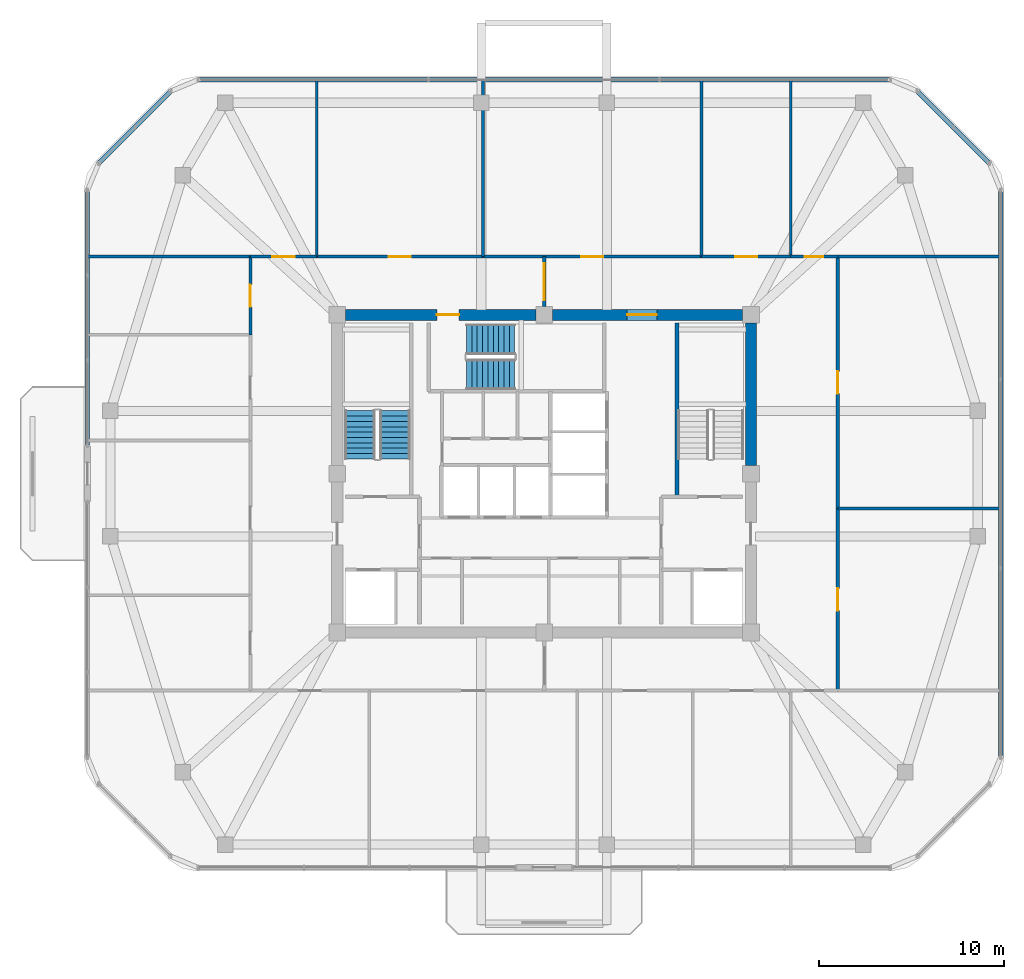
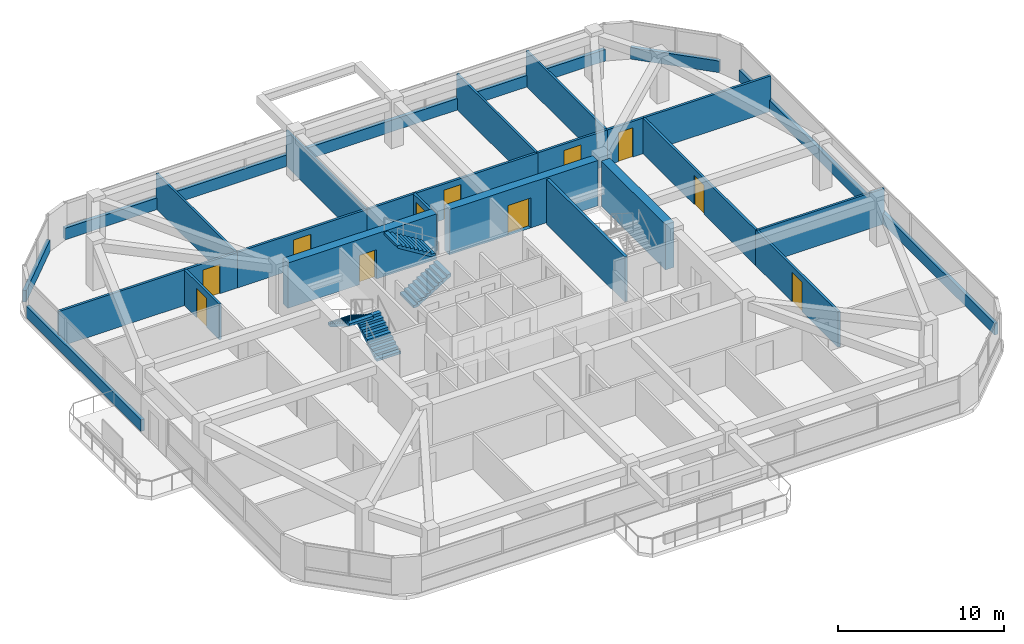
# One storey, part 10 of 13: 25 walls, 11 doors, 4 stair flights, 11 openings, 2 elements without a shape of their own.
"""IFC4 building model written with IfcOpenShell, lengths in metres."""

from ifc_helpers import new_model, si_unit, derived_unit, direction, frame, frame_2d, origin, place, context, subcontext, project, spatial, polyline, rectangle, outline, extrude, material, layer, layer_set, type_object, element, fill, aggregate, save


model = new_model("IFC4")

# Units and contexts
model_context = context("Model", 3, precision=1e-05, world=origin(), true_north=direction((0.0, 1.0)))
body_context = subcontext(model_context, "Body", "Model", "MODEL_VIEW")
ifc_project = project(units=[si_unit("LENGTHUNIT", "METRE"), si_unit("AREAUNIT", "SQUARE_METRE"), si_unit("VOLUMEUNIT", "CUBIC_METRE"), si_unit("PLANEANGLEUNIT", "RADIAN"), si_unit("MASSUNIT", "GRAM", prefix="KILO"), derived_unit("THERMALTRANSMITTANCEUNIT", [(si_unit("POWERUNIT", "WATT"), 1), (si_unit("LENGTHUNIT", "METRE"), -2), (si_unit("THERMODYNAMICTEMPERATUREUNIT", "KELVIN"), -1)])], contexts=[model_context])

# Site, building, storey
site_placement = place(None, origin())
site = spatial("IfcSite", under=ifc_project, at=site_placement, CompositionType="ELEMENT")
building_placement = place(site_placement, origin())
building = spatial("IfcBuilding", under=site, at=building_placement, Name="Koralith Skygarden Medical Center", CompositionType="ELEMENT")
storey_placement = place(building_placement, frame((0.0, 0.0, 250.02001953125)))
storey = spatial("IfcBuildingStorey", under=building, at=storey_placement, Name="L64", CompositionType="ELEMENT", Elevation=250.02001953125)

# Walls
ifc_material_1 = material(Name="Gypsum Board Partition")
ifc_layer_1 = layer(ifc_material_1, 0.14990234375)
ifc_layer_set_1 = layer_set([ifc_layer_1], Name="Gypsum Board Partition")
wall_type_1 = type_object("IfcWallType", Name="Clinical Acoustic Partition 150", PredefinedType="PARTITIONING", material=ifc_layer_set_1)
for number, where, z_axis, x_axis, name in (
    (1, (24.68603515625, 37.64990234375, 0.0), (0.0, 0.0, 1.0), (0.0, 1.0, 0.0), "L64 Clinical Acoustic Partition 150 W-PART-L64-N-01"),
    (2, (33.68505859375, 37.64990234375, 0.0), (0.0, 0.0, 1.0), (0.0, 1.0, 0.0), "L64 Clinical Acoustic Partition 150 W-PART-L64-N-02"),
    (3, (45.52490234375, 37.64990234375, 0.0), (0.0, 0.0, 1.0), (0.0, 1.0, 0.0), "L64 Clinical Acoustic Partition 150 W-PART-L64-N-03"),
    (4, (50.35009765625, 37.64990234375, 0.0), (0.0, 0.0, 1.0), (0.0, 1.0, 0.0), "L64 Clinical Acoustic Partition 150 W-PART-L64-N-04"),
):
    element("IfcWall", number, at=place(storey_placement, frame(where, z_axis=z_axis, x_axis=x_axis)), inside=storey, type_object=wall_type_1, Name=name, PredefinedType="PARTITIONING", context=body_context, shape_type="SweptSolid", body=[
        extrude(rectangle(XDim=9.550048828125, YDim=0.14990234375, at=frame_2d((4.77490234375, 0.0))), origin(), (0.0, 0.0, 1.0), 2.60986328125),
    ])
wall_1_placement = place(storey_placement, frame((52.89990234375, 24.02001953125, 0.0), z_axis=(0.0, 0.0, 1.0), x_axis=(1.0, 0.0, 0.0)))
element("IfcWall", 5, at=wall_1_placement, inside=storey, type_object=wall_type_1, Name="L64 Clinical Acoustic Partition 150 W-PART-L64-E-01", PredefinedType="PARTITIONING", context=body_context, shape_type="SweptSolid", body=[
    extrude(rectangle(XDim=8.800048828125, YDim=0.14990234375, at=frame_2d((4.39990234375, 0.0))), origin(), (0.0, 0.0, 1.0), 2.60986328125),
])
ifc_layer_2 = layer(ifc_material_1, 0.1650390625)
ifc_layer_set_2 = layer_set([ifc_layer_2], Name="Gypsum Board Partition")
wall_type_2 = type_object("IfcWallType", Name="Clinical Corridor Partition 165", PredefinedType="PARTITIONING", material=ifc_layer_set_2)
for number, where, z_axis, x_axis, name in (
    (6, (12.300048828125, 37.64990234375, 0.0), (0.0, 0.0, 1.0), (1.0, 0.0, 0.0), "L64 Clinical Corridor Partition 165 W-WB-L64-NW"),
    (7, (52.89990234375, 37.64990234375, 0.0), (0.0, 0.0, 1.0), (1.0, 0.0, 0.0), "L64 Clinical Corridor Partition 165 W-WB-L64-NE"),
):
    element("IfcWall", number, at=place(storey_placement, frame(where, z_axis=z_axis, x_axis=x_axis)), inside=storey, type_object=wall_type_2, Name=name, PredefinedType="PARTITIONING", context=body_context, shape_type="SweptSolid", body=[
        extrude(rectangle(XDim=8.800048828125, YDim=0.1650390625, at=frame_2d((4.39990234375, 0.0))), origin(), (0.0, 0.0, 1.0), 2.60986328125),
    ])

# Wall, opening, door
wall_2_placement = place(storey_placement, frame((21.10009765625, 37.64990234375, 0.0), z_axis=(0.0, 0.0, 1.0), x_axis=(1.0, 0.0, 0.0)))
wall_2 = element("IfcWall", 8, at=wall_2_placement, inside=storey, type_object=wall_type_2, Name="L64 Clinical Corridor Partition 165 W-CORR-L64-N-01", PredefinedType="PARTITIONING", context=body_context, shape_type="SweptSolid", body=[
    extrude(rectangle(XDim=3.5859375, YDim=0.1650390625, at=frame_2d((1.79296875, 0.0))), origin(), (0.0, 0.0, 1.0), 2.60986328125),
])
opening_1_placement = place(wall_2_placement, frame((1.193115234375, 0.0, 0.0)))
opening_1 = element("IfcOpeningElement", 9, at=opening_1_placement, cuts=wall_2, Name="Opening D-CLN", PredefinedType="OPENING", context=body_context, shape_type="SweptSolid", body=[
    extrude(rectangle(XDim=1.199951171875, YDim=2.14990234375, at=frame_2d((0.60009765625, 1.074951171875))), frame((0.0, 0.092529296875, 0.0), z_axis=(0.0, -1.0, 0.0), x_axis=(1.0, 0.0, 0.0)), (0.0, 0.0, 1.0), 0.18505859375),
])
ifc_material_2 = material(Name="Aluminium 6063-T6", Category="aluminium")
door_type_1 = type_object("IfcDoorType", Name="Clinical Corridor Door D-CLN 1200", OperationType="NOTDEFINED", PredefinedType="DOOR", material=ifc_material_2)
door_1_placement = place(opening_1_placement, origin())
door_1 = element("IfcDoor", 10, at=door_1_placement, inside=storey, type_object=door_type_1, Name="L64 Staff Refreshment and Nutrition Pantry 01 Door", OperationType="SINGLE_SWING_RIGHT", OverallHeight=2.14990234375, OverallWidth=1.199951171875, PredefinedType="DOOR", context=body_context, shape_type="SweptSolid", body=[
    extrude(rectangle(XDim=1.199951171875, YDim=2.14990234375, at=frame_2d((0.60009765625, 1.074951171875))), frame((0.0, 0.02490234375, 0.0), z_axis=(0.0, -1.0, 0.0), x_axis=(1.0, 0.0, 0.0)), (0.0, 0.0, 1.0), 0.050048828125),
])
fill(opening_1, door_1)

wall_3_placement = place(storey_placement, frame((24.68603515625, 37.64990234375, 0.0), z_axis=(0.0, 0.0, 1.0), x_axis=(1.0, 0.0, 0.0)))
wall_3 = element("IfcWall", 11, at=wall_3_placement, inside=storey, type_object=wall_type_2, Name="L64 Clinical Corridor Partition 165 W-CORR-L64-N-02", PredefinedType="PARTITIONING", context=body_context, shape_type="SweptSolid", body=[
    extrude(rectangle(XDim=8.9990234375, YDim=0.1650390625, at=frame_2d((4.49951171875, 0.0))), origin(), (0.0, 0.0, 1.0), 2.60986328125),
])
opening_2_placement = place(wall_3_placement, frame((3.89990234375, 0.0, 0.0)))
opening_2 = element("IfcOpeningElement", 12, at=opening_2_placement, cuts=wall_3, Name="Opening D-CLN", PredefinedType="OPENING", context=body_context, shape_type="SweptSolid", body=[
    extrude(rectangle(XDim=1.199951171875, YDim=2.14990234375, at=frame_2d((0.60009765625, 1.074951171875))), frame((0.0, 0.092529296875, 0.0), z_axis=(0.0, -1.0, 0.0), x_axis=(1.0, 0.0, 0.0)), (0.0, 0.0, 1.0), 0.18505859375),
])
door_2_placement = place(opening_2_placement, origin())
door_2 = element("IfcDoor", 13, at=door_2_placement, inside=storey, type_object=door_type_1, Name="L64 Clinical Pharmacist Office 02 Door", OperationType="SINGLE_SWING_LEFT", OverallHeight=2.14990234375, OverallWidth=1.199951171875, PredefinedType="DOOR", context=body_context, shape_type="SweptSolid", body=[
    extrude(rectangle(XDim=1.199951171875, YDim=2.14990234375, at=frame_2d((0.60009765625, 1.074951171875))), frame((0.0, 0.02490234375, 0.0), z_axis=(0.0, -1.0, 0.0), x_axis=(1.0, 0.0, 0.0)), (0.0, 0.0, 1.0), 0.050048828125),
])
fill(opening_2, door_2)

wall_4_placement = place(storey_placement, frame((33.68505859375, 37.64990234375, 0.0), z_axis=(0.0, 0.0, 1.0), x_axis=(1.0, 0.0, 0.0)))
wall_4 = element("IfcWall", 14, at=wall_4_placement, inside=storey, type_object=wall_type_2, Name="L64 Clinical Corridor Partition 165 W-CORR-L64-N-03", PredefinedType="PARTITIONING", context=body_context, shape_type="SweptSolid", body=[
    extrude(rectangle(XDim=11.83984375, YDim=0.1650390625, at=frame_2d((5.919921875, 0.0))), origin(), (0.0, 0.0, 1.0), 2.60986328125),
])
opening_3_placement = place(wall_4_placement, frame((5.320068359375, 0.0, 0.0)))
opening_3 = element("IfcOpeningElement", 15, at=opening_3_placement, cuts=wall_4, Name="Opening D-CLN", PredefinedType="OPENING", context=body_context, shape_type="SweptSolid", body=[
    extrude(rectangle(XDim=1.199951171875, YDim=2.14990234375, at=frame_2d((0.60009765625, 1.074951171875))), frame((0.0, 0.092529296875, 0.0), z_axis=(0.0, -1.0, 0.0), x_axis=(1.0, 0.0, 0.0)), (0.0, 0.0, 1.0), 0.18505859375),
])
door_3_placement = place(opening_3_placement, origin())
door_3 = element("IfcDoor", 16, at=door_3_placement, inside=storey, type_object=door_type_1, Name="L64 Social Work Counseling Office 03 Door", OperationType="SINGLE_SWING_RIGHT", OverallHeight=2.14990234375, OverallWidth=1.199951171875, PredefinedType="DOOR", context=body_context, shape_type="SweptSolid", body=[
    extrude(rectangle(XDim=1.199951171875, YDim=2.14990234375, at=frame_2d((0.60009765625, 1.074951171875))), frame((0.0, 0.02490234375, 0.0), z_axis=(0.0, -1.0, 0.0), x_axis=(1.0, 0.0, 0.0)), (0.0, 0.0, 1.0), 0.050048828125),
])
fill(opening_3, door_3)

wall_5_placement = place(storey_placement, frame((45.52490234375, 37.64990234375, 0.0), z_axis=(0.0, 0.0, 1.0), x_axis=(1.0, 0.0, 0.0)))
wall_5 = element("IfcWall", 17, at=wall_5_placement, inside=storey, type_object=wall_type_2, Name="L64 Clinical Corridor Partition 165 W-CORR-L64-N-04", PredefinedType="PARTITIONING", context=body_context, shape_type="SweptSolid", body=[
    extrude(rectangle(XDim=4.8251953125, YDim=0.1650390625, at=frame_2d((2.41259765625, 0.0))), origin(), (0.0, 0.0, 1.0), 2.60986328125),
])
opening_4_placement = place(wall_5_placement, frame((1.81298828125, 0.0, 0.0)))
opening_4 = element("IfcOpeningElement", 18, at=opening_4_placement, cuts=wall_5, Name="Opening D-CLN", PredefinedType="OPENING", context=body_context, shape_type="SweptSolid", body=[
    extrude(rectangle(XDim=1.199951171875, YDim=2.14990234375, at=frame_2d((0.60009765625, 1.074951171875))), frame((0.0, 0.092529296875, 0.0), z_axis=(0.0, -1.0, 0.0), x_axis=(1.0, 0.0, 0.0)), (0.0, 0.0, 1.0), 0.18505859375),
])
door_4_placement = place(opening_4_placement, origin())
door_4 = element("IfcDoor", 19, at=door_4_placement, inside=storey, type_object=door_type_1, Name="L64 Clinical Consultation Office 04 Door", OperationType="SINGLE_SWING_LEFT", OverallHeight=2.14990234375, OverallWidth=1.199951171875, PredefinedType="DOOR", context=body_context, shape_type="SweptSolid", body=[
    extrude(rectangle(XDim=1.199951171875, YDim=2.14990234375, at=frame_2d((0.60009765625, 1.074951171875))), frame((0.0, 0.02490234375, 0.0), z_axis=(0.0, -1.0, 0.0), x_axis=(1.0, 0.0, 0.0)), (0.0, 0.0, 1.0), 0.050048828125),
])
fill(opening_4, door_4)

wall_6_placement = place(storey_placement, frame((50.35009765625, 37.64990234375, 0.0), z_axis=(0.0, 0.0, 1.0), x_axis=(1.0, 0.0, 0.0)))
wall_6 = element("IfcWall", 20, at=wall_6_placement, inside=storey, type_object=wall_type_2, Name="L64 Clinical Corridor Partition 165 W-CORR-L64-N-05", PredefinedType="PARTITIONING", context=body_context, shape_type="SweptSolid", body=[
    extrude(rectangle(XDim=2.5498046875, YDim=0.1650390625, at=frame_2d((1.27490234375, 0.0))), origin(), (0.0, 0.0, 1.0), 2.60986328125),
])
opening_5_placement = place(wall_6_placement, frame((0.77490234375, 0.0, 0.0)))
opening_5 = element("IfcOpeningElement", 21, at=opening_5_placement, cuts=wall_6, Name="Opening D-SUP", PredefinedType="OPENING", context=body_context, shape_type="SweptSolid", body=[
    extrude(rectangle(XDim=1.0, YDim=2.14990234375, at=frame_2d((0.5, 1.074951171875))), frame((0.0, 0.092529296875, 0.0), z_axis=(0.0, -1.0, 0.0), x_axis=(1.0, 0.0, 0.0)), (0.0, 0.0, 1.0), 0.18505859375),
])
door_type_2 = type_object("IfcDoorType", Name="Clinical Support Door D-SUP 1000", OperationType="NOTDEFINED", PredefinedType="DOOR", material=ifc_material_2)
door_5_placement = place(opening_5_placement, origin())
door_5 = element("IfcDoor", 22, at=door_5_placement, inside=storey, type_object=door_type_2, Name="L64 Staff Refreshment and Nutrition Pantry 05 Door", OperationType="SINGLE_SWING_RIGHT", OverallHeight=2.14990234375, OverallWidth=1.0, PredefinedType="DOOR", context=body_context, shape_type="SweptSolid", body=[
    extrude(rectangle(XDim=1.0, YDim=2.14990234375, at=frame_2d((0.5, 1.074951171875))), frame((0.0, 0.02490234375, 0.0), z_axis=(0.0, -1.0, 0.0), x_axis=(1.0, 0.0, 0.0)), (0.0, 0.0, 1.0), 0.050048828125),
])
fill(opening_5, door_5)

wall_7_placement = place(storey_placement, frame((21.10009765625, 33.419921875, 0.0), z_axis=(0.0, 0.0, 1.0), x_axis=(0.0, 1.0, 0.0)))
wall_7 = element("IfcWall", 23, at=wall_7_placement, inside=storey, type_object=wall_type_2, Name="L64 Clinical Corridor Partition 165 W-CORR-L64-W-04", PredefinedType="PARTITIONING", context=body_context, shape_type="SweptSolid", body=[
    extrude(rectangle(XDim=4.22998046875, YDim=0.1650390625, at=frame_2d((2.114990234375, 0.0))), origin(), (0.0, 0.0, 1.0), 2.60986328125),
])
opening_6_placement = place(wall_7_placement, frame((1.514892578125, 0.0, 0.0)))
opening_6 = element("IfcOpeningElement", 24, at=opening_6_placement, cuts=wall_7, Name="Opening D-CLN", PredefinedType="OPENING", context=body_context, shape_type="SweptSolid", body=[
    extrude(rectangle(XDim=1.199951171875, YDim=2.14990234375, at=frame_2d((0.60009765625, 1.074951171875))), frame((0.0, 0.092529296875, 0.0), z_axis=(0.0, -1.0, 0.0), x_axis=(1.0, 0.0, 0.0)), (0.0, 0.0, 1.0), 0.18505859375),
])
door_6_placement = place(opening_6_placement, frame((1.199951171875, 0.0, 0.0), z_axis=(0.0, 0.0, 1.0), x_axis=(-1.0, 0.0, 0.0)))
door_6 = element("IfcDoor", 25, at=door_6_placement, inside=storey, type_object=door_type_1, Name="L64 Public Accessible Restroom WC 14 Door", OperationType="SINGLE_SWING_LEFT", OverallHeight=2.14990234375, OverallWidth=1.199951171875, PredefinedType="DOOR", context=body_context, shape_type="SweptSolid", body=[
    extrude(rectangle(XDim=1.199951171875, YDim=2.14990234375, at=frame_2d((0.60009765625, 1.074951171875))), frame((0.0, 0.02490234375, 0.0), z_axis=(0.0, -1.0, 0.0), x_axis=(1.0, 0.0, 0.0)), (0.0, 0.0, 1.0), 0.050048828125),
])
fill(opening_6, door_6)

wall_8_placement = place(storey_placement, frame((52.89990234375, 14.14990234375, 0.0), z_axis=(0.0, 0.0, 1.0), x_axis=(0.0, 1.0, 0.0)))
wall_8 = element("IfcWall", 26, at=wall_8_placement, inside=storey, type_object=wall_type_2, Name="L64 Clinical Corridor Partition 165 W-CORR-L64-E-01", PredefinedType="PARTITIONING", context=body_context, shape_type="SweptSolid", body=[
    extrude(rectangle(XDim=9.8701171875, YDim=0.1650390625, at=frame_2d((4.93505859375, 0.0))), origin(), (0.0, 0.0, 1.0), 2.60986328125),
])
opening_7_placement = place(wall_8_placement, frame((4.3349609375, 0.0, 0.0)))
opening_7 = element("IfcOpeningElement", 27, at=opening_7_placement, cuts=wall_8, Name="Opening D-CLN", PredefinedType="OPENING", context=body_context, shape_type="SweptSolid", body=[
    extrude(rectangle(XDim=1.199951171875, YDim=2.14990234375, at=frame_2d((0.60009765625, 1.074951171875))), frame((0.0, 0.092529296875, 0.0), z_axis=(0.0, -1.0, 0.0), x_axis=(1.0, 0.0, 0.0)), (0.0, 0.0, 1.0), 0.18505859375),
])
door_7_placement = place(opening_7_placement, origin())
door_7 = element("IfcDoor", 28, at=door_7_placement, inside=storey, type_object=door_type_1, Name="L64 Staff Refreshment and Nutrition Pantry 15 Door", OperationType="SINGLE_SWING_RIGHT", OverallHeight=2.14990234375, OverallWidth=1.199951171875, PredefinedType="DOOR", context=body_context, shape_type="SweptSolid", body=[
    extrude(rectangle(XDim=1.199951171875, YDim=2.14990234375, at=frame_2d((0.60009765625, 1.074951171875))), frame((0.0, 0.02490234375, 0.0), z_axis=(0.0, -1.0, 0.0), x_axis=(1.0, 0.0, 0.0)), (0.0, 0.0, 1.0), 0.050048828125),
])
fill(opening_7, door_7)

wall_9_placement = place(storey_placement, frame((52.89990234375, 24.02001953125, 0.0), z_axis=(0.0, 0.0, 1.0), x_axis=(0.0, 1.0, 0.0)))
wall_9 = element("IfcWall", 29, at=wall_9_placement, inside=storey, type_object=wall_type_2, Name="L64 Clinical Corridor Partition 165 W-CORR-L64-E-02", PredefinedType="PARTITIONING", context=body_context, shape_type="SweptSolid", body=[
    extrude(rectangle(XDim=13.6298828125, YDim=0.1650390625, at=frame_2d((6.81494140625, 0.0))), origin(), (0.0, 0.0, 1.0), 2.60986328125),
])
opening_8_placement = place(wall_9_placement, frame((6.215087890625, 0.0, 0.0)))
opening_8 = element("IfcOpeningElement", 30, at=opening_8_placement, cuts=wall_9, Name="Opening D-CLN", PredefinedType="OPENING", context=body_context, shape_type="SweptSolid", body=[
    extrude(rectangle(XDim=1.199951171875, YDim=2.14990234375, at=frame_2d((0.60009765625, 1.074951171875))), frame((0.0, 0.092529296875, 0.0), z_axis=(0.0, -1.0, 0.0), x_axis=(1.0, 0.0, 0.0)), (0.0, 0.0, 1.0), 0.18505859375),
])
door_8_placement = place(opening_8_placement, origin())
door_8 = element("IfcDoor", 31, at=door_8_placement, inside=storey, type_object=door_type_1, Name="L64 Clinical Pharmacist Office 16 Door", OperationType="SINGLE_SWING_LEFT", OverallHeight=2.14990234375, OverallWidth=1.199951171875, PredefinedType="DOOR", context=body_context, shape_type="SweptSolid", body=[
    extrude(rectangle(XDim=1.199951171875, YDim=2.14990234375, at=frame_2d((0.60009765625, 1.074951171875))), frame((0.0, 0.02490234375, 0.0), z_axis=(0.0, -1.0, 0.0), x_axis=(1.0, 0.0, 0.0)), (0.0, 0.0, 1.0), 0.050048828125),
])
fill(opening_8, door_8)

ifc_layer_3 = layer(ifc_material_1, 0.179931640625)
ifc_layer_set_3 = layer_set([ifc_layer_3], Name="Gypsum Board Partition")
wall_type_3 = type_object("IfcWallType", Name="Group I-2 Smoke Barrier Wall 180", PredefinedType="PARTITIONING", material=ifc_layer_set_3)
wall_10_placement = place(storey_placement, frame((37.0, 34.949951171875, 0.0), z_axis=(0.0, 0.0, 1.0), x_axis=(0.0, 1.0, 0.0)))
wall_10 = element("IfcWall", 32, at=wall_10_placement, inside=storey, type_object=wall_type_3, Name="L64 Group I-2 Smoke Barrier Wall 180 W-SMK-L64-N", PredefinedType="PARTITIONING", context=body_context, shape_type="SweptSolid", body=[
    extrude(rectangle(XDim=2.699951171875, YDim=0.179931640625, at=frame_2d((1.35009765625, 0.0))), origin(), (0.0, 0.0, 1.0), 2.60986328125),
])
opening_9_placement = place(wall_10_placement, frame((0.35009765625, 0.0, 0.0)))
opening_9 = element("IfcOpeningElement", 33, at=opening_9_placement, cuts=wall_10, Name="Opening D-SMK", PredefinedType="OPENING", context=body_context, shape_type="SweptSolid", body=[
    extrude(rectangle(XDim=2.0, YDim=2.199951171875, at=frame_2d((1.0, 1.10009765625))), frame((0.0, 0.099853515625, 0.0), z_axis=(0.0, -1.0, 0.0), x_axis=(1.0, 0.0, 0.0)), (0.0, 0.0, 1.0), 0.199951171875),
])
ifc_material_3 = material(Name="Steel ASTM A500 Grade C", Category="steel")
door_type_3 = type_object("IfcDoorType", Name="Cross-Corridor Double Smoke Door FD60S 2000", OperationType="NOTDEFINED", PredefinedType="DOOR", material=ifc_material_3)
door_9_placement = place(opening_9_placement, origin())
door_9 = element("IfcDoor", 34, at=door_9_placement, inside=storey, type_object=door_type_3, Name="L64 N Smoke Compartment Cross-Corridor Door", OperationType="DOUBLE_DOOR_SINGLE_SWING", OverallHeight=2.199951171875, OverallWidth=2.0, PredefinedType="DOOR", context=body_context, shape_type="SweptSolid", body=[
    extrude(rectangle(XDim=2.0, YDim=2.199951171875, at=frame_2d((1.0, 1.10009765625))), frame((0.0, 0.02490234375, 0.0), z_axis=(0.0, -1.0, 0.0), x_axis=(1.0, 0.0, 0.0)), (0.0, 0.0, 1.0), 0.050048828125),
])
fill(opening_9, door_9)

# Walls
ifc_material_4 = material(Name="Warm Oolitic Limestone Cladding", Category="masonry")
ifc_layer_4 = layer(ifc_material_4, 0.239990234375)
ifc_layer_set_4 = layer_set([ifc_layer_4], Name="Warm Oolitic Limestone Cladding")
wall_type_4 = type_object("IfcWallType", Name="Limestone Spandrel Sill Backup Wall 240", PredefinedType="SOLIDWALL", material=ifc_layer_set_4)
wall_11_placement = place(storey_placement, frame((61.719970703125, 10.554931640625, 0.0), z_axis=(0.0, 0.0, 1.0), x_axis=(0.0, 1.0, 0.0)))
element("IfcWall", 35, at=wall_11_placement, inside=storey, type_object=wall_type_4, Name="L64 Sill Spandrel E", PredefinedType="SOLIDWALL", context=body_context, shape_type="SweptSolid", body=[
    extrude(rectangle(XDim=30.690185546875, YDim=0.239990234375, at=frame_2d((15.34521484375, 0.0))), origin(), (0.0, 0.0, 1.0), 0.85009765625),
])
wall_12_placement = place(storey_placement, frame((61.118896484375, 42.696044921875, 0.0), z_axis=(0.0, 0.0, 1.0), x_axis=(-0.707106781187, 0.707106781187, 0.0)))
element("IfcWall", 36, at=wall_12_placement, inside=storey, type_object=wall_type_4, Name="L64 Sill Spandrel NE", PredefinedType="SOLIDWALL", context=body_context, shape_type="SweptSolid", body=[
    extrude(rectangle(XDim=5.5478515625, YDim=0.239990234375, at=frame_2d((2.77392578125, 0.0))), origin(), (0.0, 0.0, 1.0), 0.85009765625),
])
wall_13_placement = place(storey_placement, frame((55.7451171875, 47.219970703125, 0.0), z_axis=(0.0, 0.0, 1.0), x_axis=(-1.0, 0.0, 0.0)))
element("IfcWall", 37, at=wall_13_placement, inside=storey, type_object=wall_type_4, Name="L64 Sill Spandrel N", PredefinedType="SOLIDWALL", context=body_context, shape_type="SweptSolid", body=[
    extrude(rectangle(XDim=37.490234375, YDim=0.239990234375, at=frame_2d((18.7451171875, 0.0))), origin(), (0.0, 0.0, 1.0), 0.85009765625),
])
wall_14_placement = place(storey_placement, frame((16.803955078125, 46.618896484375, 0.0), z_axis=(0.0, 0.0, 1.0), x_axis=(-0.707106781187, -0.707106781187, 0.0)))
element("IfcWall", 38, at=wall_14_placement, inside=storey, type_object=wall_type_4, Name="L64 Sill Spandrel NW", PredefinedType="SOLIDWALL", context=body_context, shape_type="SweptSolid", body=[
    extrude(rectangle(XDim=5.5478515625, YDim=0.239990234375, at=frame_2d((2.77392578125, 0.0))), origin(), (0.0, 0.0, 1.0), 0.85009765625),
])
wall_15_placement = place(storey_placement, frame((12.280029296875, 41.2451171875, 0.0), z_axis=(0.0, 0.0, 1.0), x_axis=(0.0, -1.0, 0.0)))
element("IfcWall", 39, at=wall_15_placement, inside=storey, type_object=wall_type_4, Name="L64 Sill Spandrel W-L", PredefinedType="SOLIDWALL", context=body_context, shape_type="SweptSolid", body=[
    extrude(rectangle(XDim=13.80517578125, YDim=0.239990234375, at=frame_2d((6.902587890625, 0.0))), origin(), (0.0, 0.0, 1.0), 0.85009765625),
])
ifc_material_5 = material(Name="Concrete C45/55", Category="concrete")
ifc_layer_5 = layer(ifc_material_5, 0.199951171875)
ifc_layer_set_5 = layer_set([ifc_layer_5], Name="Concrete C45/55")
wall_type_5 = type_object("IfcWallType", Name="Structural Stair Shaft Wall 200", PredefinedType="SHEAR", material=ifc_layer_set_5)
wall_16_placement = place(storey_placement, frame((44.199951171875, 24.64990234375, 0.0), z_axis=(0.0, 0.0, 1.0), x_axis=(0.0, 1.0, 0.0)))
element("IfcWall", 40, at=wall_16_placement, inside=storey, type_object=wall_type_5, Name="L64 Structural Stair Shaft Wall 200 W-CORE-L64-ST2-W", PredefinedType="SHEAR", context=body_context, shape_type="SweptSolid", body=[
    extrude(rectangle(XDim=9.400146484375, YDim=0.199951171875, at=frame_2d((4.7001953125, 0.0))), origin(), (0.0, 0.0, 1.0), 3.320068359375),
])
ifc_material_6 = material(Name="Concrete C55/67", Category="concrete")
ifc_layer_6 = layer(ifc_material_6, 0.60009765625)
ifc_layer_set_6 = layer_set([ifc_layer_6], Name="Concrete C55/67")
wall_type_6 = type_object("IfcWallType", Name="Upper Core Shear Wall 600", PredefinedType="SHEAR", material=ifc_layer_set_6)
wall_17_placement = place(storey_placement, frame((48.199951171875, 26.344970703125, 0.0), z_axis=(0.0, 0.0, 1.0), x_axis=(0.0, 1.0, 0.0)))
element("IfcWall", 41, at=wall_17_placement, inside=storey, type_object=wall_type_6, Name="L64 Core Shear Wall Segment 4", PredefinedType="SHEAR", context=body_context, shape_type="SweptSolid", body=[
    extrude(rectangle(XDim=7.7099609375, YDim=0.60009765625, at=frame_2d((3.85498046875, 0.0))), origin(), (0.0, 0.0, 1.0), 3.320068359375),
])

# Wall, opening, door
wall_18_placement = place(storey_placement, frame((47.7548828125, 34.5, 0.0), z_axis=(0.0, 0.0, 1.0), x_axis=(-1.0, 0.0, 0.0)))
wall_18 = element("IfcWall", 42, at=wall_18_placement, inside=storey, type_object=wall_type_6, Name="L64 Core Shear Wall Segment 5", PredefinedType="SHEAR", context=body_context, shape_type="SweptSolid", body=[
    extrude(rectangle(XDim=10.309814453125, YDim=0.60009765625, at=frame_2d((5.15478515625, 0.0))), origin(), (0.0, 0.0, 1.0), 3.320068359375),
])
opening_10_placement = place(wall_18_placement, frame((4.655029296875, 0.0, 0.0)))
opening_10 = element("IfcOpeningElement", 43, at=opening_10_placement, cuts=wall_18, Name="Opening D-DBL", PredefinedType="OPENING", context=body_context, shape_type="SweptSolid", body=[
    extrude(rectangle(XDim=1.60009765625, YDim=2.199951171875, at=frame_2d((0.800048828125, 1.10009765625))), frame((0.0, 0.31005859375, 0.0), z_axis=(0.0, -1.0, 0.0), x_axis=(1.0, 0.0, 0.0)), (0.0, 0.0, 1.0), 0.6201171875),
])
door_type_4 = type_object("IfcDoorType", Name="Double Clinical Suite Door D-DBL 1600", OperationType="NOTDEFINED", PredefinedType="DOOR", material=ifc_material_2)
door_10_placement = place(opening_10_placement, frame((1.60009765625, 0.0, 0.0), z_axis=(0.0, 0.0, 1.0), x_axis=(-1.0, 0.0, 0.0)))
door_10 = element("IfcDoor", 44, at=door_10_placement, inside=storey, type_object=door_type_4, Name="L64 North-East Corridor to Elevator Lobby Door", OperationType="DOUBLE_DOOR_SINGLE_SWING", OverallHeight=2.199951171875, OverallWidth=1.60009765625, PredefinedType="DOOR", context=body_context, shape_type="SweptSolid", body=[
    extrude(rectangle(XDim=1.60009765625, YDim=2.199951171875, at=frame_2d((0.800048828125, 1.10009765625))), frame((0.0, 0.02490234375, 0.0), z_axis=(0.0, -1.0, 0.0), x_axis=(1.0, 0.0, 0.0)), (0.0, 0.0, 1.0), 0.050048828125),
])
fill(opening_10, door_10)

wall_19_placement = place(storey_placement, frame((36.554931640625, 34.5, 0.0), z_axis=(0.0, 0.0, 1.0), x_axis=(-1.0, 0.0, 0.0)))
wall_19 = element("IfcWall", 45, at=wall_19_placement, inside=storey, type_object=wall_type_6, Name="L64 Core Shear Wall Segment 6", PredefinedType="SHEAR", context=body_context, shape_type="SweptSolid", body=[
    extrude(rectangle(XDim=10.309814453125, YDim=0.60009765625, at=frame_2d((5.15478515625, 0.0))), origin(), (0.0, 0.0, 1.0), 3.320068359375),
])
opening_11_placement = place(wall_19_placement, frame((4.155029296875, 0.0, 0.0)))
opening_11 = element("IfcOpeningElement", 46, at=opening_11_placement, cuts=wall_19, Name="Opening D-ST60", PredefinedType="OPENING", context=body_context, shape_type="SweptSolid", body=[
    extrude(rectangle(XDim=1.199951171875, YDim=2.14990234375, at=frame_2d((0.60009765625, 1.074951171875))), frame((0.0, 0.31005859375, 0.0), z_axis=(0.0, -1.0, 0.0), x_axis=(1.0, 0.0, 0.0)), (0.0, 0.0, 1.0), 0.6201171875),
])
door_type_5 = type_object("IfcDoorType", Name="Smokeproof Stair Fire Door FD60S 1200", OperationType="NOTDEFINED", PredefinedType="DOOR", material=ifc_material_3)
door_11_placement = place(opening_11_placement, frame((1.199951171875, 0.0, 0.0), z_axis=(0.0, 0.0, 1.0), x_axis=(-1.0, 0.0, 0.0)))
door_11 = element("IfcDoor", 47, at=door_11_placement, inside=storey, type_object=door_type_5, Name="L64 Exit Stair ST3 Fire Door", OperationType="SINGLE_SWING_LEFT", OverallHeight=2.14990234375, OverallWidth=1.199951171875, PredefinedType="DOOR", context=body_context, shape_type="SweptSolid", body=[
    extrude(rectangle(XDim=1.199951171875, YDim=2.14990234375, at=frame_2d((0.60009765625, 1.074951171875))), frame((0.0, 0.02490234375, 0.0), z_axis=(0.0, -1.0, 0.0), x_axis=(1.0, 0.0, 0.0)), (0.0, 0.0, 1.0), 0.050048828125),
])
fill(opening_11, door_11)

# Stair, stair flights
stair_type = type_object("IfcStairType", Name="Core Exit Dogleg Concrete Stair", PredefinedType="HALF_TURN_STAIR", material=ifc_material_5)
stair_1_placement = place(storey_placement, origin())
stair_1 = element("IfcStair", 48, at=stair_1_placement, inside=storey, type_object=stair_type, Name="L64 Smokeproof Exit Stair ST1", PredefinedType="HALF_TURN_STAIR")
stair_flight_type = type_object("IfcStairFlightType", Name="Core Exit Concrete Stair Flight 1650", PredefinedType="STRAIGHT", material=ifc_material_5)
stair_flight_1_placement = place(storey_placement, frame((28.925048828125, 26.699951171875, 0.0), z_axis=(0.0, 0.0, 1.0), x_axis=(0.0, 1.0, 0.0)))
stair_flight_1 = element("IfcStairFlight", 49, at=stair_flight_1_placement, type_object=stair_flight_type, Name="ST1 flight 1", NumberOfRisers=10, NumberOfTreads=9, PredefinedType="STRAIGHT", RiserHeight=0.18, TreadLength=0.29, context=body_context, shape_type="SweptSolid", body=[
    extrude(outline(polyline([(0.0, 0.0), (0.0, 0.179931640625), (0.2900390625, 0.179931640625), (0.2900390625, 0.360107421875), (0.580078125, 0.360107421875), (0.580078125, 0.5400390625), (0.8701171875, 0.5400390625), (0.8701171875, 0.719970703125), (1.159912109375, 0.719970703125), (1.159912109375, 0.89990234375), (1.449951171875, 0.89990234375), (1.449951171875, 1.080078125), (1.739990234375, 1.080078125), (1.739990234375, 1.260009765625), (2.030029296875, 1.260009765625), (2.030029296875, 1.43994140625), (2.320068359375, 1.43994140625), (2.320068359375, 1.6201171875), (2.610107421875, 1.6201171875), (2.610107421875, 1.800048828125), (2.610107421875, 1.443603515625), (0.2841796875, 0.0), (0.0, 0.0)])), frame((0.0, 0.824951171875, 0.0), z_axis=(0.0, -1.0, 0.0), x_axis=(1.0, 0.0, 0.0)), (0.0, 0.0, 1.0), 1.64990234375),
])
stair_flight_2_placement = place(storey_placement, frame((27.02490234375, 29.31005859375, 1.800048828125), z_axis=(0.0, 0.0, 1.0), x_axis=(0.0, -1.0, 0.0)))
stair_flight_2 = element("IfcStairFlight", 50, at=stair_flight_2_placement, type_object=stair_flight_type, Name="ST1 flight 2", NumberOfRisers=10, NumberOfTreads=9, PredefinedType="STRAIGHT", RiserHeight=0.18, TreadLength=0.29, context=body_context, shape_type="SweptSolid", body=[
    extrude(outline(polyline([(0.0, 0.0), (0.0, 0.179931640625), (0.2900390625, 0.179931640625), (0.2900390625, 0.360107421875), (0.580078125, 0.360107421875), (0.580078125, 0.5400390625), (0.8701171875, 0.5400390625), (0.8701171875, 0.719970703125), (1.159912109375, 0.719970703125), (1.159912109375, 0.89990234375), (1.449951171875, 0.89990234375), (1.449951171875, 1.080078125), (1.739990234375, 1.080078125), (1.739990234375, 1.260009765625), (2.030029296875, 1.260009765625), (2.030029296875, 1.43994140625), (2.320068359375, 1.43994140625), (2.320068359375, 1.6201171875), (2.610107421875, 1.6201171875), (2.610107421875, 1.800048828125), (2.610107421875, 1.443603515625), (0.2841796875, 0.0), (0.0, 0.0)])), frame((0.0, 0.824951171875, 0.0), z_axis=(0.0, -1.0, 0.0), x_axis=(1.0, 0.0, 0.0)), (0.0, 0.0, 1.0), 1.64990234375),
])
aggregate(stair_1, [stair_flight_1, stair_flight_2])

stair_2_placement = place(storey_placement, origin())
stair_2 = element("IfcStair", 51, at=stair_2_placement, inside=storey, type_object=stair_type, Name="L64 Smokeproof Exit Stair ST3", PredefinedType="HALF_TURN_STAIR")
stair_flight_3_placement = place(storey_placement, frame((32.800048828125, 31.27490234375, 0.0), z_axis=(0.0, 0.0, 1.0), x_axis=(1.0, 0.0, 0.0)))
stair_flight_3 = element("IfcStairFlight", 52, at=stair_flight_3_placement, type_object=stair_flight_type, Name="ST3 flight 1", NumberOfRisers=10, NumberOfTreads=9, PredefinedType="STRAIGHT", RiserHeight=0.18, TreadLength=0.29, context=body_context, shape_type="SweptSolid", body=[
    extrude(outline(polyline([(0.0, 0.0), (0.0, 0.179931640625), (0.2900390625, 0.179931640625), (0.2900390625, 0.360107421875), (0.580078125, 0.360107421875), (0.580078125, 0.5400390625), (0.8701171875, 0.5400390625), (0.8701171875, 0.719970703125), (1.159912109375, 0.719970703125), (1.159912109375, 0.89990234375), (1.449951171875, 0.89990234375), (1.449951171875, 1.080078125), (1.739990234375, 1.080078125), (1.739990234375, 1.260009765625), (2.030029296875, 1.260009765625), (2.030029296875, 1.43994140625), (2.320068359375, 1.43994140625), (2.320068359375, 1.6201171875), (2.610107421875, 1.6201171875), (2.610107421875, 1.800048828125), (2.610107421875, 1.443603515625), (0.2841796875, 0.0), (0.0, 0.0)])), frame((0.0, 0.824951171875, 0.0), z_axis=(0.0, -1.0, 0.0), x_axis=(1.0, 0.0, 0.0)), (0.0, 0.0, 1.0), 1.64990234375),
])
stair_flight_4_placement = place(storey_placement, frame((35.409912109375, 33.175048828125, 1.800048828125), z_axis=(0.0, 0.0, 1.0), x_axis=(-1.0, 0.0, 0.0)))
stair_flight_4 = element("IfcStairFlight", 53, at=stair_flight_4_placement, type_object=stair_flight_type, Name="ST3 flight 2", NumberOfRisers=10, NumberOfTreads=9, PredefinedType="STRAIGHT", RiserHeight=0.18, TreadLength=0.29, context=body_context, shape_type="SweptSolid", body=[
    extrude(outline(polyline([(0.0, 0.0), (0.0, 0.179931640625), (0.2900390625, 0.179931640625), (0.2900390625, 0.360107421875), (0.580078125, 0.360107421875), (0.580078125, 0.5400390625), (0.8701171875, 0.5400390625), (0.8701171875, 0.719970703125), (1.159912109375, 0.719970703125), (1.159912109375, 0.89990234375), (1.449951171875, 0.89990234375), (1.449951171875, 1.080078125), (1.739990234375, 1.080078125), (1.739990234375, 1.260009765625), (2.030029296875, 1.260009765625), (2.030029296875, 1.43994140625), (2.320068359375, 1.43994140625), (2.320068359375, 1.6201171875), (2.610107421875, 1.6201171875), (2.610107421875, 1.800048828125), (2.610107421875, 1.443603515625), (0.2841796875, 0.0), (0.0, 0.0)])), frame((0.0, 0.824951171875, 0.0), z_axis=(0.0, -1.0, 0.0), x_axis=(1.0, 0.0, 0.0)), (0.0, 0.0, 1.0), 1.64990234375),
])
aggregate(stair_2, [stair_flight_3, stair_flight_4])

save(model, "model.ifc")
